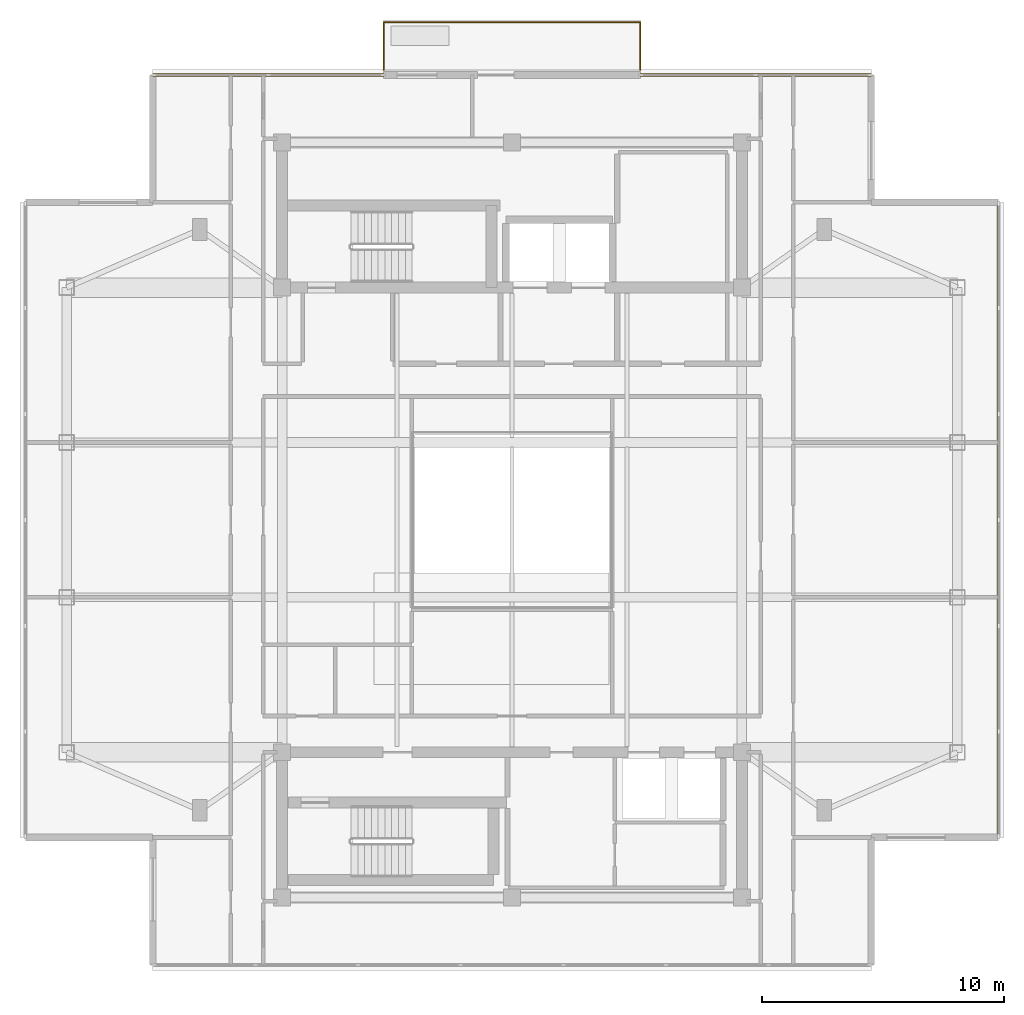
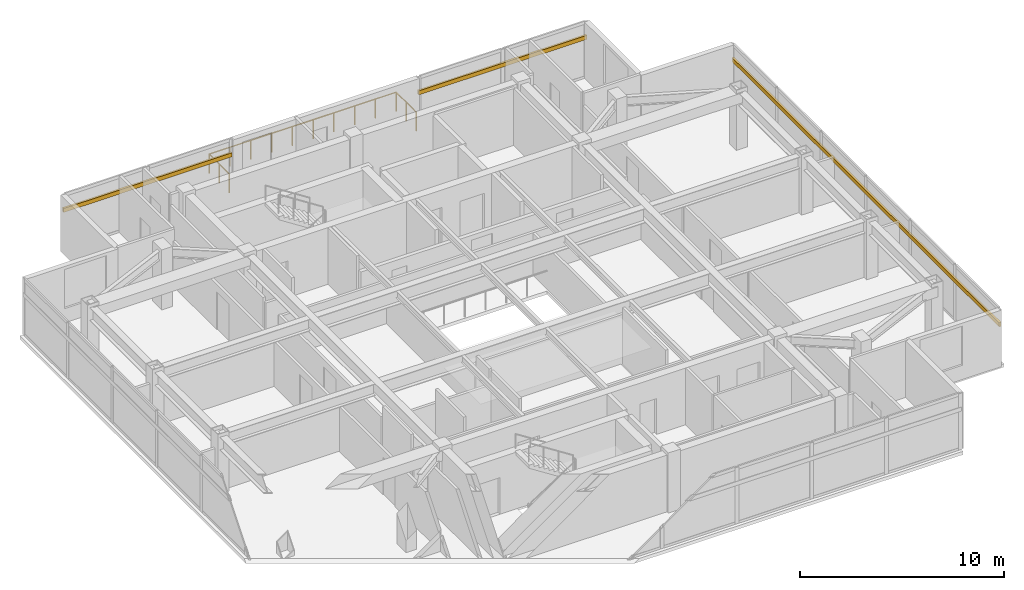
# One storey, part 12 of 12: 3 railings, 3 shading devices.
"""IFC4 building model written with IfcOpenShell, lengths in metres."""

from ifc_helpers import new_model, si_unit, direction, frame, origin, origin_2d, place, context, subcontext, project, spatial, rectangle, circle, extrude, material, material_profile, profile_set, type_object, element, save


model = new_model("IFC4")

# Units and contexts
model_context = context("Model", 3, precision=1e-05, world=origin(), true_north=direction((0.0, 1.0)))
body_context = subcontext(model_context, "Body", "Model", "MODEL_VIEW")
ifc_project = project(units=[si_unit("LENGTHUNIT", "METRE"), si_unit("AREAUNIT", "SQUARE_METRE"), si_unit("VOLUMEUNIT", "CUBIC_METRE"), si_unit("PLANEANGLEUNIT", "RADIAN"), si_unit("MASSUNIT", "GRAM", prefix="KILO")], contexts=[model_context])

# Site, building, storey
site_placement = place(None, origin())
site = spatial("IfcSite", under=ifc_project, at=site_placement, CompositionType="ELEMENT")
building_placement = place(site_placement, origin())
building = spatial("IfcBuilding", under=site, at=building_placement, Name="Mirazonda Arch Towers", CompositionType="ELEMENT")
storey_placement = place(building_placement, frame((0.0, 0.0, 252.699951171875)))
storey = spatial("IfcBuildingStorey", under=building, at=storey_placement, Name="L72", CompositionType="ELEMENT", Elevation=252.699951171875)

# Shading devices
ifc_material_1 = material(Name="Kiln-Fired Architectural Terracotta", Category="masonry")
ifc_material_profile = material_profile(ifc_material_1, rectangle(XDim=0.1201171875, YDim=0.239990234375, at=origin_2d()), Name="TERRA-BAG-120x240")
ifc_profile_set = profile_set([ifc_material_profile], Name="Kiln-Fired Architectural Terracotta")
shading_device_type = type_object("IfcShadingDeviceType", Name="BAGUETTE-1", PredefinedType="USERDEFINED", material=ifc_profile_set)
shading_device_placement = place(storey_placement, frame((40.610107421875, 14.876953125, 2.43359375), z_axis=(0.0, 1.0, 0.0), x_axis=(-1.0, 0.0, 0.0)))
element("IfcShadingDevice", 1, at=shading_device_placement, inside=storey, type_object=shading_device_type, Name="L72 Glazed Terracotta Sun-Screen Baguette CW-L72-T1-E", ObjectType="BAGUETTE", PredefinedType="USERDEFINED", context=body_context, shape_type="SweptSolid", body=[
    extrude(rectangle(XDim=0.1201171875, YDim=0.239990234375, at=origin_2d()), origin(), (0.0, 0.0, 1.0), 26.24609375),
])
for number, where, z_axis, x_axis, name in (
    (2, (5.655029296875, 46.387939453125, 2.43359375), (1.0, 0.0, 0.0), (0.0, 1.0, 0.0), "L72 Glazed Terracotta Sun-Screen Baguette CW-L72-T1-NA"),
    (3, (25.7900390625, 46.387939453125, 2.43359375), (1.0, 0.0, 0.0), (0.0, 1.0, 0.0), "L72 Glazed Terracotta Sun-Screen Baguette CW-L72-T1-NB"),
):
    element("IfcShadingDevice", number, at=place(storey_placement, frame(where, z_axis=z_axis, x_axis=x_axis)), inside=storey, type_object=shading_device_type, Name=name, ObjectType="BAGUETTE", PredefinedType="USERDEFINED", context=body_context, shape_type="SweptSolid", body=[
        extrude(rectangle(XDim=0.1201171875, YDim=0.239990234375, at=origin_2d()), origin(), (0.0, 0.0, 1.0), 9.554931640625),
    ])

# Railings
ifc_material_2 = material(Name="Architectural Brushed Steel S355", Category="steel")
railing_type = type_object("IfcRailingType", Name="GUARD-EXT-1150", PredefinedType="GUARDRAIL", material=ifc_material_2)
railing_1_placement = place(storey_placement, frame((15.199951171875, 46.597900390625, 0.0)))
element("IfcRailing", 4, at=railing_1_placement, inside=storey, type_object=railing_type, Name="L72 T1 Sky-Terrace Guard 01", PredefinedType="GUARDRAIL", context=body_context, shape_type="SweptSolid", body=[
    extrude(circle(Radius=0.02392578125, at=origin_2d()), frame((0.0, 0.0, 1.1259765625), z_axis=(0.0, 1.0, 0.0), x_axis=(-1.0, 0.0, 0.0)), (0.0, 0.0, 1.0), 1.960205078125),
    extrude(circle(Radius=0.02099609375, at=origin_2d()), origin(), (0.0, 0.0, 1.0), 1.101806640625),
    extrude(circle(Radius=0.02099609375, at=origin_2d()), frame((0.0, 0.97998046875, 0.0)), (0.0, 0.0, 1.0), 1.101806640625),
    extrude(circle(Radius=0.02099609375, at=origin_2d()), frame((0.0, 1.960205078125, 0.0)), (0.0, 0.0, 1.0), 1.101806640625),
])
railing_2_placement = place(storey_placement, frame((15.199951171875, 48.55810546875, 0.0)))
element("IfcRailing", 5, at=railing_2_placement, inside=storey, type_object=railing_type, Name="L72 T1 Sky-Terrace Guard 02", PredefinedType="GUARDRAIL", context=body_context, shape_type="SweptSolid", body=[
    extrude(circle(Radius=0.02392578125, at=origin_2d()), frame((0.0, 0.0, 1.1259765625), z_axis=(1.0, 0.0, 0.0), x_axis=(0.0, 1.0, 0.0)), (0.0, 0.0, 1.0), 10.60009765625),
    extrude(circle(Radius=0.02099609375, at=origin_2d()), origin(), (0.0, 0.0, 1.0), 1.101806640625),
    extrude(circle(Radius=0.02099609375, at=origin_2d()), frame((1.177734375, 0.0, 0.0)), (0.0, 0.0, 1.0), 1.101806640625),
    extrude(circle(Radius=0.02099609375, at=origin_2d()), frame((2.35546875, 0.0, 0.0)), (0.0, 0.0, 1.0), 1.101806640625),
    extrude(circle(Radius=0.02099609375, at=origin_2d()), frame((3.533447265625, 0.0, 0.0)), (0.0, 0.0, 1.0), 1.101806640625),
    extrude(circle(Radius=0.02099609375, at=origin_2d()), frame((4.711181640625, 0.0, 0.0)), (0.0, 0.0, 1.0), 1.101806640625),
    extrude(circle(Radius=0.02099609375, at=origin_2d()), frame((5.888916015625, 0.0, 0.0)), (0.0, 0.0, 1.0), 1.101806640625),
    extrude(circle(Radius=0.02099609375, at=origin_2d()), frame((7.066650390625, 0.0, 0.0)), (0.0, 0.0, 1.0), 1.101806640625),
    extrude(circle(Radius=0.02099609375, at=origin_2d()), frame((8.24462890625, 0.0, 0.0)), (0.0, 0.0, 1.0), 1.101806640625),
    extrude(circle(Radius=0.02099609375, at=origin_2d()), frame((9.42236328125, 0.0, 0.0)), (0.0, 0.0, 1.0), 1.101806640625),
    extrude(circle(Radius=0.02099609375, at=origin_2d()), frame((10.60009765625, 0.0, 0.0)), (0.0, 0.0, 1.0), 1.101806640625),
])
railing_3_placement = place(storey_placement, frame((25.800048828125, 48.55810546875, 0.0)))
element("IfcRailing", 6, at=railing_3_placement, inside=storey, type_object=railing_type, Name="L72 T1 Sky-Terrace Guard 03", PredefinedType="GUARDRAIL", context=body_context, shape_type="SweptSolid", body=[
    extrude(circle(Radius=0.02392578125, at=origin_2d()), frame((0.0, 0.0, 1.1259765625), z_axis=(0.0, -1.0, 0.0), x_axis=(1.0, 0.0, 0.0)), (0.0, 0.0, 1.0), 1.960205078125),
    extrude(circle(Radius=0.02099609375, at=origin_2d()), origin(), (0.0, 0.0, 1.0), 1.101806640625),
    extrude(circle(Radius=0.02099609375, at=origin_2d()), frame((0.0, -0.97998046875, 0.0)), (0.0, 0.0, 1.0), 1.101806640625),
    extrude(circle(Radius=0.02099609375, at=origin_2d()), frame((0.0, -1.960205078125, 0.0)), (0.0, 0.0, 1.0), 1.101806640625),
])

save(model, "model.ifc")
